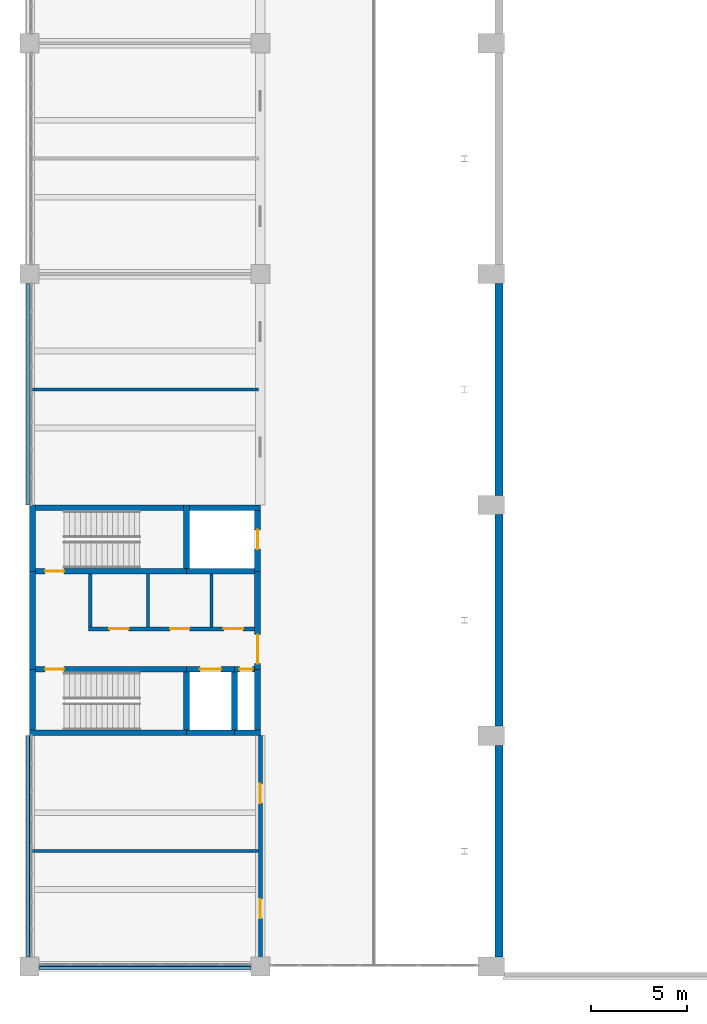
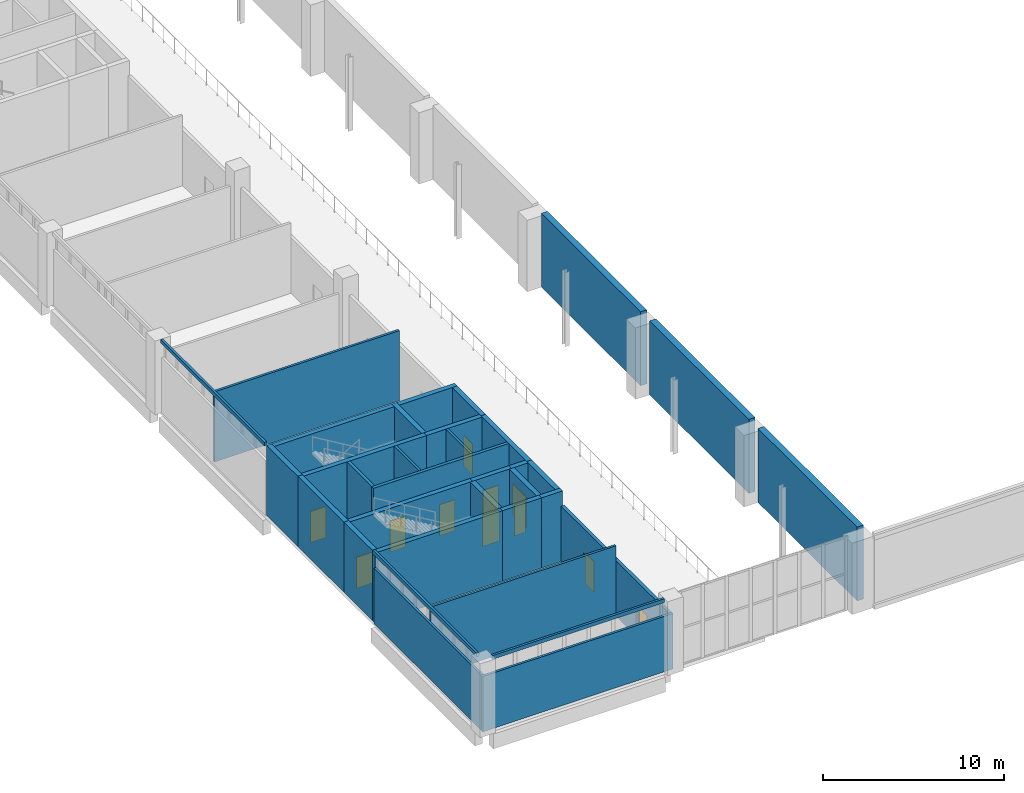
# One storey, part 51 of 69: 34 walls, 11 doors, 11 openings.
"""IFC4 building model written with IfcOpenShell, lengths in metres."""

from ifc_helpers import new_model, si_unit, direction, frame, frame_2d, origin, place, context, subcontext, project, spatial, rectangle, extrude, material, layer, layer_set, type_object, element, fill, save


model = new_model("IFC4")

# Units and contexts
model_context = context("Model", 3, precision=1e-05, world=origin(), true_north=direction((0.0, 1.0)))
body_context = subcontext(model_context, "Body", "Model", "MODEL_VIEW")
ifc_project = project(units=[si_unit("LENGTHUNIT", "METRE"), si_unit("AREAUNIT", "SQUARE_METRE"), si_unit("VOLUMEUNIT", "CUBIC_METRE"), si_unit("PLANEANGLEUNIT", "RADIAN"), si_unit("MASSUNIT", "GRAM", prefix="KILO")], contexts=[model_context])

# Site, building, storey
site_placement = place(None, origin())
site = spatial("IfcSite", under=ifc_project, at=site_placement, CompositionType="ELEMENT")
building_placement = place(site_placement, origin())
building = spatial("IfcBuilding", under=site, at=building_placement, Name="Lilac Gate Convention Centre", CompositionType="ELEMENT")
storey_placement = place(building_placement, frame((0.0, 0.0, 12.0)))
storey = spatial("IfcBuildingStorey", under=building, at=storey_placement, Name="L02", CompositionType="ELEMENT", Elevation=12.0)

# Walls
ifc_material_1 = material(Name="Concrete C30", Category="concrete")
ifc_layer_1 = layer(ifc_material_1, 0.39990234375)
ifc_layer_set_1 = layer_set([ifc_layer_1], Name="Concrete C30")
wall_type_1 = type_object("IfcWallType", Name="Hall fire wall 400", PredefinedType="SOLIDWALL", material=ifc_layer_set_1)
for number, where, z_axis, x_axis, name in (
    (1, (30.39990234375, 30.5, 0.0), (0.0, 0.0, 1.0), (0.0, 1.0, 0.0), "Fire wall galleria FW L02 1"),
    (2, (30.39990234375, 42.5, 0.0), (0.0, 0.0, 1.0), (0.0, 1.0, 0.0), "Fire wall galleria FW L02 2"),
    (3, (30.39990234375, 54.5, 0.0), (0.0, 0.0, 1.0), (0.0, 1.0, 0.0), "Fire wall galleria FW L02 3"),
):
    element("IfcWall", number, at=place(storey_placement, frame(where, z_axis=z_axis, x_axis=x_axis)), inside=storey, type_object=wall_type_1, Name=name, PredefinedType="SOLIDWALL", context=body_context, shape_type="SweptSolid", body=[
        extrude(rectangle(XDim=11.0, YDim=0.39990234375, at=frame_2d((5.5, 0.0))), origin(), (0.0, 0.0, 1.0), 5.0),
    ])
ifc_material_2 = material(Name="Fire-rated gypsum board on steel stud", Category="steel")
ifc_layer_2 = layer(ifc_material_2, 0.14990234375)
ifc_layer_set_2 = layer_set([ifc_layer_2], Name="Fire-rated gypsum board on steel stud")
wall_type_2 = type_object("IfcWallType", Name="Partition 150 fire-rated gypsum board EI 60", PredefinedType="PARTITIONING", material=ifc_layer_set_2)
wall_1_placement = place(storey_placement, frame((5.925048828125, 30.0, 0.0), z_axis=(0.0, 0.0, 1.0), x_axis=(1.0, 0.0, 0.0)))
element("IfcWall", 4, at=wall_1_placement, inside=storey, type_object=wall_type_2, Name="Partition 150 fire-rated gypsum board EI 60", PredefinedType="PARTITIONING", context=body_context, shape_type="SweptSolid", body=[
    extrude(rectangle(XDim=12.175048828125, YDim=0.14990234375, at=frame_2d((6.08740234375, 0.0))), origin(), (0.0, 0.0, 1.0), 3.75),
])
for number, where, z_axis, x_axis, name in (
    (5, (6.074951171875, 36.0, 0.0), (0.0, 0.0, 1.0), (1.0, 0.0, 0.0), "Partition 150 fire-rated gypsum board EI 60"),
    (6, (6.074951171875, 60.0, 0.0), (0.0, 0.0, 1.0), (1.0, 0.0, 0.0), "Partition 150 fire-rated gypsum board EI 60"),
):
    element("IfcWall", number, at=place(storey_placement, frame(where, z_axis=z_axis, x_axis=x_axis)), inside=storey, type_object=wall_type_2, Name=name, PredefinedType="PARTITIONING", context=body_context, shape_type="SweptSolid", body=[
        extrude(rectangle(XDim=11.824951171875, YDim=0.14990234375, at=frame_2d((5.91259765625, 0.0))), origin(), (0.0, 0.0, 1.0), 4.75),
    ])
wall_2_placement = place(storey_placement, frame((6.0, 30.074951171875, 0.0), z_axis=(0.0, 0.0, 1.0), x_axis=(0.0, 1.0, 0.0)))
element("IfcWall", 7, at=wall_2_placement, inside=storey, type_object=wall_type_2, Name="Partition 150 fire-rated gypsum board EI 60", PredefinedType="PARTITIONING", context=body_context, shape_type="SweptSolid", body=[
    extrude(rectangle(XDim=11.925048828125, YDim=0.14990234375, at=frame_2d((5.96240234375, 0.0))), origin(), (0.0, 0.0, 1.0), 3.75),
])
for number, where, z_axis, x_axis, name in (
    (8, (12.14990234375, 47.64990234375, 0.0), (0.0, 0.0, 1.0), (0.0, 1.0, 0.0), "Partition 150 fire-rated gypsum board EI 60"),
    (9, (15.449951171875, 47.64990234375, 0.0), (0.0, 0.0, 1.0), (0.0, 1.0, 0.0), "Partition 150 fire-rated gypsum board EI 60"),
):
    element("IfcWall", number, at=place(storey_placement, frame(where, z_axis=z_axis, x_axis=x_axis)), inside=storey, type_object=wall_type_2, Name=name, PredefinedType="PARTITIONING", context=body_context, shape_type="SweptSolid", body=[
        extrude(rectangle(XDim=2.75, YDim=0.14990234375, at=frame_2d((1.375, 0.0))), origin(), (0.0, 0.0, 1.0), 4.75),
    ])

# Wall, openings, doors
ifc_material_3 = material(Name="Clay brick masonry", Category="masonry")
ifc_layer_3 = layer(ifc_material_3, 0.199951171875)
ifc_layer_set_3 = layer_set([ifc_layer_3], Name="Clay brick masonry")
wall_type_3 = type_object("IfcWallType", Name="Partition 200 brick EI 60", PredefinedType="PARTITIONING", material=ifc_layer_set_3)
wall_3_placement = place(storey_placement, frame((9.050048828125, 47.550048828125, 0.0), z_axis=(0.0, 0.0, 1.0), x_axis=(1.0, 0.0, 0.0)))
wall_3 = element("IfcWall", 10, at=wall_3_placement, inside=storey, type_object=wall_type_3, Name="Partition 200 brick EI 60", PredefinedType="PARTITIONING", context=body_context, shape_type="SweptSolid", body=[
    extrude(rectangle(XDim=8.64990234375, YDim=0.199951171875, at=frame_2d((4.324951171875, 0.0))), origin(), (0.0, 0.0, 1.0), 4.75),
])
opening_1_placement = place(wall_3_placement, frame((1.10009765625, 0.0, 0.0)))
opening_1 = element("IfcOpeningElement", 11, at=opening_1_placement, cuts=wall_3, Name="Opening L02-006", PredefinedType="OPENING", context=body_context, shape_type="SweptSolid", body=[
    extrude(rectangle(XDim=1.0, YDim=2.10009765625, at=frame_2d((0.5, 1.050048828125))), frame((0.0, 0.10986328125, 0.0), z_axis=(0.0, -1.0, 0.0), x_axis=(1.0, 0.0, 0.0)), (0.0, 0.0, 1.0), 0.219970703125),
])
opening_2_placement = place(wall_3_placement, frame((4.25, 0.0, 0.0)))
opening_2 = element("IfcOpeningElement", 12, at=opening_2_placement, cuts=wall_3, Name="Opening L02-007", PredefinedType="OPENING", context=body_context, shape_type="SweptSolid", body=[
    extrude(rectangle(XDim=1.0, YDim=2.10009765625, at=frame_2d((0.5, 1.050048828125))), frame((0.0, 0.10986328125, 0.0), z_axis=(0.0, -1.0, 0.0), x_axis=(1.0, 0.0, 0.0)), (0.0, 0.0, 1.0), 0.219970703125),
])
opening_3_placement = place(wall_3_placement, frame((7.050048828125, 0.0, 0.0)))
opening_3 = element("IfcOpeningElement", 13, at=opening_3_placement, cuts=wall_3, Name="Opening L02-008", PredefinedType="OPENING", context=body_context, shape_type="SweptSolid", body=[
    extrude(rectangle(XDim=1.0, YDim=2.10009765625, at=frame_2d((0.5, 1.050048828125))), frame((0.0, 0.10986328125, 0.0), z_axis=(0.0, -1.0, 0.0), x_axis=(1.0, 0.0, 0.0)), (0.0, 0.0, 1.0), 0.219970703125),
])
ifc_material_4 = material(Name="Timber fire door leaf", Category="wood")
door_type_1 = type_object("IfcDoorType", Name="Door 1000 x 2100 single leaf FD30", OperationType="SINGLE_SWING_LEFT", PredefinedType="DOOR", material=ifc_material_4)
door_1_placement = place(opening_1_placement, origin())
door_1 = element("IfcDoor", 14, at=door_1_placement, inside=storey, type_object=door_type_1, Name="WC door L02-006", OperationType="SINGLE_SWING_RIGHT", OverallHeight=2.10009765625, OverallWidth=1.0, PredefinedType="DOOR", context=body_context, shape_type="SweptSolid", body=[
    extrude(rectangle(XDim=1.0, YDim=2.10009765625, at=frame_2d((0.5, 1.050048828125))), frame((0.0, 0.02490234375, 0.0), z_axis=(0.0, -1.0, 0.0), x_axis=(1.0, 0.0, 0.0)), (0.0, 0.0, 1.0), 0.050048828125),
])
fill(opening_1, door_1)
door_2_placement = place(opening_2_placement, origin())
door_2 = element("IfcDoor", 15, at=door_2_placement, inside=storey, type_object=door_type_1, Name="WC door L02-007", OperationType="SINGLE_SWING_LEFT", OverallHeight=2.10009765625, OverallWidth=1.0, PredefinedType="DOOR", context=body_context, shape_type="SweptSolid", body=[
    extrude(rectangle(XDim=1.0, YDim=2.10009765625, at=frame_2d((0.5, 1.050048828125))), frame((0.0, 0.02490234375, 0.0), z_axis=(0.0, -1.0, 0.0), x_axis=(1.0, 0.0, 0.0)), (0.0, 0.0, 1.0), 0.050048828125),
])
fill(opening_2, door_2)
door_3_placement = place(opening_3_placement, origin())
door_3 = element("IfcDoor", 16, at=door_3_placement, inside=storey, type_object=door_type_1, Name="Accessible WC door L02-008", OperationType="SINGLE_SWING_LEFT", OverallHeight=2.10009765625, OverallWidth=1.0, PredefinedType="DOOR", context=body_context, shape_type="SweptSolid", body=[
    extrude(rectangle(XDim=1.0, YDim=2.10009765625, at=frame_2d((0.5, 1.050048828125))), frame((0.0, 0.02490234375, 0.0), z_axis=(0.0, -1.0, 0.0), x_axis=(1.0, 0.0, 0.0)), (0.0, 0.0, 1.0), 0.050048828125),
])
fill(opening_3, door_3)

# Wall
wall_4_placement = place(storey_placement, frame((9.14990234375, 47.64990234375, 0.0), z_axis=(0.0, 0.0, 1.0), x_axis=(0.0, 1.0, 0.0)))
element("IfcWall", 17, at=wall_4_placement, inside=storey, type_object=wall_type_3, Name="Partition 200 brick EI 60", PredefinedType="PARTITIONING", context=body_context, shape_type="SweptSolid", body=[
    extrude(rectangle(XDim=2.75, YDim=0.199951171875, at=frame_2d((1.375, 0.0))), origin(), (0.0, 0.0, 1.0), 4.75),
])

# Wall, openings, doors
wall_5_placement = place(storey_placement, frame((18.0, 30.074951171875, 0.0), z_axis=(0.0, 0.0, 1.0), x_axis=(0.0, 1.0, 0.0)))
wall_5 = element("IfcWall", 18, at=wall_5_placement, inside=storey, type_object=wall_type_3, Name="Partition 200 brick EI 60", PredefinedType="PARTITIONING", context=body_context, shape_type="SweptSolid", body=[
    extrude(rectangle(XDim=11.925048828125, YDim=0.199951171875, at=frame_2d((5.96240234375, 0.0))), origin(), (0.0, 0.0, 1.0), 3.75),
])
opening_4_placement = place(wall_5_placement, frame((2.425048828125, 0.0, 0.0)))
opening_4 = element("IfcOpeningElement", 19, at=opening_4_placement, cuts=wall_5, Name="Opening L02-001", PredefinedType="OPENING", context=body_context, shape_type="SweptSolid", body=[
    extrude(rectangle(XDim=1.0, YDim=2.10009765625, at=frame_2d((0.5, 1.050048828125))), frame((0.0, 0.10986328125, 0.0), z_axis=(0.0, -1.0, 0.0), x_axis=(1.0, 0.0, 0.0)), (0.0, 0.0, 1.0), 0.219970703125),
])
opening_5_placement = place(wall_5_placement, frame((8.425048828125, 0.0, 0.0)))
opening_5 = element("IfcOpeningElement", 20, at=opening_5_placement, cuts=wall_5, Name="Opening L02-002", PredefinedType="OPENING", context=body_context, shape_type="SweptSolid", body=[
    extrude(rectangle(XDim=1.0, YDim=2.10009765625, at=frame_2d((0.5, 1.050048828125))), frame((0.0, 0.10986328125, 0.0), z_axis=(0.0, -1.0, 0.0), x_axis=(1.0, 0.0, 0.0)), (0.0, 0.0, 1.0), 0.219970703125),
])
door_4_placement = place(opening_4_placement, origin())
door_4 = element("IfcDoor", 21, at=door_4_placement, inside=storey, type_object=door_type_1, Name="Meeting room door L02-001", OperationType="SINGLE_SWING_RIGHT", OverallHeight=2.10009765625, OverallWidth=1.0, PredefinedType="DOOR", context=body_context, shape_type="SweptSolid", body=[
    extrude(rectangle(XDim=1.0, YDim=2.10009765625, at=frame_2d((0.5, 1.050048828125))), frame((0.0, 0.02490234375, 0.0), z_axis=(0.0, -1.0, 0.0), x_axis=(1.0, 0.0, 0.0)), (0.0, 0.0, 1.0), 0.050048828125),
])
fill(opening_4, door_4)
door_5_placement = place(opening_5_placement, origin())
door_5 = element("IfcDoor", 22, at=door_5_placement, inside=storey, type_object=door_type_1, Name="Meeting room door L02-002", OperationType="SINGLE_SWING_RIGHT", OverallHeight=2.10009765625, OverallWidth=1.0, PredefinedType="DOOR", context=body_context, shape_type="SweptSolid", body=[
    extrude(rectangle(XDim=1.0, YDim=2.10009765625, at=frame_2d((0.5, 1.050048828125))), frame((0.0, 0.02490234375, 0.0), z_axis=(0.0, -1.0, 0.0), x_axis=(1.0, 0.0, 0.0)), (0.0, 0.0, 1.0), 0.050048828125),
])
fill(opening_5, door_5)

# Walls
ifc_material_5 = material(Name="Concrete C40 precast", Category="concrete")
ifc_layer_4 = layer(ifc_material_5, 0.1298828125)
ifc_material_6 = material(Name="Terracotta glazed cladding", Category="masonry")
ifc_layer_5 = layer(ifc_material_6, 0.02001953125)
ifc_layer_set_4 = layer_set([ifc_layer_4, ifc_layer_5], Name="Concrete C40 precast, Terracotta glazed cladding")
wall_type_4 = type_object("IfcWallType", Name="Precast band terracotta 150", PredefinedType="STANDARD", material=ifc_layer_set_4)
for number, where, z_axis, x_axis, name in (
    (23, (5.925048828125, 65.5, 4.75), (0.0, 0.0, 1.0), (0.0, -1.0, 0.0), "Precast band PW L02 11"),
    (24, (5.925048828125, 42.0, 4.75), (0.0, 0.0, 1.0), (0.0, -1.0, 0.0), "Precast band PW L02 12"),
):
    element("IfcWall", number, at=place(storey_placement, frame(where, z_axis=z_axis, x_axis=x_axis)), inside=storey, type_object=wall_type_4, Name=name, PredefinedType="STANDARD", context=body_context, shape_type="SweptSolid", body=[
        extrude(rectangle(XDim=11.5, YDim=0.14990234375, at=frame_2d((5.75, 0.0))), origin(), (0.0, 0.0, 1.0), 0.25),
    ])
wall_6_placement = place(storey_placement, frame((6.5, 29.925048828125, 4.75), z_axis=(0.0, 0.0, 1.0), x_axis=(1.0, 0.0, 0.0)))
element("IfcWall", 25, at=wall_6_placement, inside=storey, type_object=wall_type_4, Name="Precast band PS L02 1", PredefinedType="STANDARD", context=body_context, shape_type="SweptSolid", body=[
    extrude(rectangle(XDim=11.0, YDim=0.14990234375, at=frame_2d((5.5, 0.0))), origin(), (0.0, 0.0, 1.0), 0.25),
])
ifc_material_7 = material(Name="Concrete C40", Category="concrete")
ifc_layer_6 = layer(ifc_material_7, 0.300048828125)
ifc_layer_set_5 = layer_set([ifc_layer_6], Name="Concrete C40")
wall_type_5 = type_object("IfcWallType", Name="Shear wall 300 C40", PredefinedType="SHEAR", material=ifc_layer_set_5)
wall_7_placement = place(storey_placement, frame((6.0, 42.14990234375, 0.0), z_axis=(0.0, 0.0, 1.0), x_axis=(1.0, 0.0, 0.0)))
element("IfcWall", 26, at=wall_7_placement, inside=storey, type_object=wall_type_5, Name="SW1 shear wall W1 L02 1", PredefinedType="SHEAR", context=body_context, shape_type="SweptSolid", body=[
    extrude(rectangle(XDim=8.14990234375, YDim=0.300048828125, at=frame_2d((4.074951171875, 0.0))), origin(), (0.0, 0.0, 1.0), 4.75),
])
wall_8_placement = place(storey_placement, frame((14.14990234375, 42.14990234375, 0.0), z_axis=(0.0, 0.0, 1.0), x_axis=(1.0, 0.0, 0.0)))
element("IfcWall", 27, at=wall_8_placement, inside=storey, type_object=wall_type_5, Name="SW1 shear wall W1 L02 2", PredefinedType="SHEAR", context=body_context, shape_type="SweptSolid", body=[
    extrude(rectangle(XDim=2.5, YDim=0.300048828125, at=frame_2d((1.25, 0.0))), origin(), (0.0, 0.0, 1.0), 4.75),
])
wall_9_placement = place(storey_placement, frame((16.64990234375, 42.14990234375, 0.0), z_axis=(0.0, 0.0, 1.0), x_axis=(1.0, 0.0, 0.0)))
element("IfcWall", 28, at=wall_9_placement, inside=storey, type_object=wall_type_5, Name="SW1 shear wall W1 L02 3", PredefinedType="SHEAR", context=body_context, shape_type="SweptSolid", body=[
    extrude(rectangle(XDim=1.35009765625, YDim=0.300048828125, at=frame_2d((0.675048828125, 0.0))), origin(), (0.0, 0.0, 1.0), 4.75),
])
wall_10_placement = place(storey_placement, frame((6.0, 53.85009765625, 0.0), z_axis=(0.0, 0.0, 1.0), x_axis=(1.0, 0.0, 0.0)))
element("IfcWall", 29, at=wall_10_placement, inside=storey, type_object=wall_type_5, Name="SW1 shear wall W1 L02 4", PredefinedType="SHEAR", context=body_context, shape_type="SweptSolid", body=[
    extrude(rectangle(XDim=8.14990234375, YDim=0.300048828125, at=frame_2d((4.074951171875, 0.0))), origin(), (0.0, 0.0, 1.0), 4.75),
])
wall_11_placement = place(storey_placement, frame((14.14990234375, 53.85009765625, 0.0), z_axis=(0.0, 0.0, 1.0), x_axis=(1.0, 0.0, 0.0)))
element("IfcWall", 30, at=wall_11_placement, inside=storey, type_object=wall_type_5, Name="SW1 shear wall W1 L02 5", PredefinedType="SHEAR", context=body_context, shape_type="SweptSolid", body=[
    extrude(rectangle(XDim=3.85009765625, YDim=0.300048828125, at=frame_2d((1.925048828125, 0.0))), origin(), (0.0, 0.0, 1.0), 4.75),
])

# Wall, opening, door
wall_12_placement = place(storey_placement, frame((6.300048828125, 45.449951171875, 0.0), z_axis=(0.0, 0.0, 1.0), x_axis=(1.0, 0.0, 0.0)))
wall_12 = element("IfcWall", 31, at=wall_12_placement, inside=storey, type_object=wall_type_5, Name="SW1 shear wall W1 L02 6", PredefinedType="SHEAR", context=body_context, shape_type="SweptSolid", body=[
    extrude(rectangle(XDim=7.849853515625, YDim=0.300048828125, at=frame_2d((3.9248046875, 0.0))), origin(), (0.0, 0.0, 1.0), 4.75),
])
opening_6_placement = place(wall_12_placement, frame((0.5, 0.0, 0.0)))
opening_6 = element("IfcOpeningElement", 32, at=opening_6_placement, cuts=wall_12, Name="Opening L02-003", PredefinedType="OPENING", context=body_context, shape_type="SweptSolid", body=[
    extrude(rectangle(XDim=1.0, YDim=2.10009765625, at=frame_2d((0.5, 1.050048828125))), frame((0.0, 0.159912109375, 0.0), z_axis=(0.0, -1.0, 0.0), x_axis=(1.0, 0.0, 0.0)), (0.0, 0.0, 1.0), 0.320068359375),
])
door_type_2 = type_object("IfcDoorType", Name="Door 1000 x 2100 single leaf FD60", OperationType="SINGLE_SWING_LEFT", PredefinedType="DOOR", material=ifc_material_4)
door_6_placement = place(opening_6_placement, frame((1.0, 0.0, 0.0), z_axis=(0.0, 0.0, 1.0), x_axis=(-1.0, 0.0, 0.0)))
door_6 = element("IfcDoor", 33, at=door_6_placement, inside=storey, type_object=door_type_2, Name="Stair door L02-003", OperationType="SINGLE_SWING_LEFT", OverallHeight=2.10009765625, OverallWidth=1.0, PredefinedType="DOOR", context=body_context, shape_type="SweptSolid", body=[
    extrude(rectangle(XDim=1.0, YDim=2.10009765625, at=frame_2d((0.5, 1.050048828125))), frame((0.0, 0.02490234375, 0.0), z_axis=(0.0, -1.0, 0.0), x_axis=(1.0, 0.0, 0.0)), (0.0, 0.0, 1.0), 0.050048828125),
])
fill(opening_6, door_6)

wall_13_placement = place(storey_placement, frame((14.14990234375, 45.449951171875, 0.0), z_axis=(0.0, 0.0, 1.0), x_axis=(1.0, 0.0, 0.0)))
wall_13 = element("IfcWall", 34, at=wall_13_placement, inside=storey, type_object=wall_type_5, Name="SW1 shear wall W1 L02 7", PredefinedType="SHEAR", context=body_context, shape_type="SweptSolid", body=[
    extrude(rectangle(XDim=2.5, YDim=0.300048828125, at=frame_2d((1.25, 0.0))), origin(), (0.0, 0.0, 1.0), 4.75),
])
opening_7_placement = place(wall_13_placement, frame((0.699951171875, 0.0, 0.0)))
opening_7 = element("IfcOpeningElement", 35, at=opening_7_placement, cuts=wall_13, Name="Opening LDW1-02", PredefinedType="OPENING", context=body_context, shape_type="SweptSolid", body=[
    extrude(rectangle(XDim=1.10009765625, YDim=2.10009765625, at=frame_2d((0.550048828125, 1.050048828125))), frame((0.0, 0.159912109375, 0.0), z_axis=(0.0, -1.0, 0.0), x_axis=(1.0, 0.0, 0.0)), (0.0, 0.0, 1.0), 0.320068359375),
])
ifc_material_8 = material(Name="Stainless steel 304", Category="steel")
door_type_3 = type_object("IfcDoorType", Name="Lift landing door 1100 x 2100", OperationType="SLIDING_TO_LEFT", PredefinedType="DOOR", material=ifc_material_8)
door_7_placement = place(opening_7_placement, origin())
door_7 = element("IfcDoor", 36, at=door_7_placement, inside=storey, type_object=door_type_3, Name="Lift landing door LDW1-02", OperationType="SLIDING_TO_LEFT", OverallHeight=2.10009765625, OverallWidth=1.10009765625, PredefinedType="DOOR", context=body_context, shape_type="SweptSolid", body=[
    extrude(rectangle(XDim=1.10009765625, YDim=2.10009765625, at=frame_2d((0.550048828125, 1.050048828125))), frame((0.0, 0.02490234375, 0.0), z_axis=(0.0, -1.0, 0.0), x_axis=(1.0, 0.0, 0.0)), (0.0, 0.0, 1.0), 0.050048828125),
])
fill(opening_7, door_7)

wall_14_placement = place(storey_placement, frame((16.64990234375, 45.449951171875, 0.0), z_axis=(0.0, 0.0, 1.0), x_axis=(1.0, 0.0, 0.0)))
wall_14 = element("IfcWall", 37, at=wall_14_placement, inside=storey, type_object=wall_type_5, Name="SW1 shear wall W1 L02 8", PredefinedType="SHEAR", context=body_context, shape_type="SweptSolid", body=[
    extrude(rectangle(XDim=1.050048828125, YDim=0.300048828125, at=frame_2d((0.52490234375, 0.0))), origin(), (0.0, 0.0, 1.0), 4.75),
])
opening_8_placement = place(wall_14_placement, frame((0.25, 0.0, 0.0)))
opening_8 = element("IfcOpeningElement", 38, at=opening_8_placement, cuts=wall_14, Name="Opening L02-004", PredefinedType="OPENING", context=body_context, shape_type="SweptSolid", body=[
    extrude(rectangle(XDim=0.699951171875, YDim=2.10009765625, at=frame_2d((0.35009765625, 1.050048828125))), frame((0.0, 0.159912109375, 0.0), z_axis=(0.0, -1.0, 0.0), x_axis=(1.0, 0.0, 0.0)), (0.0, 0.0, 1.0), 0.320068359375),
])
door_type_4 = type_object("IfcDoorType", Name="Door 700 x 2100 single leaf FD30", OperationType="SINGLE_SWING_LEFT", PredefinedType="DOOR", material=ifc_material_4)
door_8_placement = place(opening_8_placement, frame((0.699951171875, 0.0, 0.0), z_axis=(0.0, 0.0, 1.0), x_axis=(-1.0, 0.0, 0.0)))
door_8 = element("IfcDoor", 39, at=door_8_placement, inside=storey, type_object=door_type_4, Name="Riser access door L02-004", OperationType="SINGLE_SWING_LEFT", OverallHeight=2.10009765625, OverallWidth=0.699951171875, PredefinedType="DOOR", context=body_context, shape_type="SweptSolid", body=[
    extrude(rectangle(XDim=0.699951171875, YDim=2.10009765625, at=frame_2d((0.35009765625, 1.050048828125))), frame((0.0, 0.02490234375, 0.0), z_axis=(0.0, -1.0, 0.0), x_axis=(1.0, 0.0, 0.0)), (0.0, 0.0, 1.0), 0.050048828125),
])
fill(opening_8, door_8)

wall_15_placement = place(storey_placement, frame((6.300048828125, 50.550048828125, 0.0), z_axis=(0.0, 0.0, 1.0), x_axis=(1.0, 0.0, 0.0)))
wall_15 = element("IfcWall", 40, at=wall_15_placement, inside=storey, type_object=wall_type_5, Name="SW1 shear wall W1 L02 9", PredefinedType="SHEAR", context=body_context, shape_type="SweptSolid", body=[
    extrude(rectangle(XDim=7.849853515625, YDim=0.300048828125, at=frame_2d((3.9248046875, 0.0))), origin(), (0.0, 0.0, 1.0), 4.75),
])
opening_9_placement = place(wall_15_placement, frame((0.5, 0.0, 0.0)))
opening_9 = element("IfcOpeningElement", 41, at=opening_9_placement, cuts=wall_15, Name="Opening L02-009", PredefinedType="OPENING", context=body_context, shape_type="SweptSolid", body=[
    extrude(rectangle(XDim=1.0, YDim=2.10009765625, at=frame_2d((0.5, 1.050048828125))), frame((0.0, 0.159912109375, 0.0), z_axis=(0.0, -1.0, 0.0), x_axis=(1.0, 0.0, 0.0)), (0.0, 0.0, 1.0), 0.320068359375),
])
door_9_placement = place(opening_9_placement, origin())
door_9 = element("IfcDoor", 42, at=door_9_placement, inside=storey, type_object=door_type_2, Name="Stair door L02-009", OperationType="SINGLE_SWING_RIGHT", OverallHeight=2.10009765625, OverallWidth=1.0, PredefinedType="DOOR", context=body_context, shape_type="SweptSolid", body=[
    extrude(rectangle(XDim=1.0, YDim=2.10009765625, at=frame_2d((0.5, 1.050048828125))), frame((0.0, 0.02490234375, 0.0), z_axis=(0.0, -1.0, 0.0), x_axis=(1.0, 0.0, 0.0)), (0.0, 0.0, 1.0), 0.050048828125),
])
fill(opening_9, door_9)

# Walls
wall_16_placement = place(storey_placement, frame((14.14990234375, 50.550048828125, 0.0), z_axis=(0.0, 0.0, 1.0), x_axis=(1.0, 0.0, 0.0)))
element("IfcWall", 43, at=wall_16_placement, inside=storey, type_object=wall_type_5, Name="SW1 shear wall W1 L02 10", PredefinedType="SHEAR", context=body_context, shape_type="SweptSolid", body=[
    extrude(rectangle(XDim=3.550048828125, YDim=0.300048828125, at=frame_2d((1.77490234375, 0.0))), origin(), (0.0, 0.0, 1.0), 4.75),
])
wall_17_placement = place(storey_placement, frame((6.14990234375, 42.300048828125, 0.0), z_axis=(0.0, 0.0, 1.0), x_axis=(0.0, 1.0, 0.0)))
element("IfcWall", 44, at=wall_17_placement, inside=storey, type_object=wall_type_5, Name="SW1 shear wall W1 L02 11", PredefinedType="SHEAR", context=body_context, shape_type="SweptSolid", body=[
    extrude(rectangle(XDim=3.14990234375, YDim=0.300048828125, at=frame_2d((1.574951171875, 0.0))), origin(), (0.0, 0.0, 1.0), 4.75),
])
wall_18_placement = place(storey_placement, frame((6.14990234375, 45.449951171875, 0.0), z_axis=(0.0, 0.0, 1.0), x_axis=(0.0, 1.0, 0.0)))
element("IfcWall", 45, at=wall_18_placement, inside=storey, type_object=wall_type_5, Name="SW1 shear wall W1 L02 12", PredefinedType="SHEAR", context=body_context, shape_type="SweptSolid", body=[
    extrude(rectangle(XDim=5.10009765625, YDim=0.300048828125, at=frame_2d((2.550048828125, 0.0))), origin(), (0.0, 0.0, 1.0), 4.75),
])
wall_19_placement = place(storey_placement, frame((6.14990234375, 50.550048828125, 0.0), z_axis=(0.0, 0.0, 1.0), x_axis=(0.0, 1.0, 0.0)))
element("IfcWall", 46, at=wall_19_placement, inside=storey, type_object=wall_type_5, Name="SW1 shear wall W1 L02 13", PredefinedType="SHEAR", context=body_context, shape_type="SweptSolid", body=[
    extrude(rectangle(XDim=3.449951171875, YDim=0.300048828125, at=frame_2d((1.72509765625, 0.0))), origin(), (0.0, 0.0, 1.0), 4.75),
])
wall_20_placement = place(storey_placement, frame((17.85009765625, 42.300048828125, 0.0), z_axis=(0.0, 0.0, 1.0), x_axis=(0.0, 1.0, 0.0)))
element("IfcWall", 47, at=wall_20_placement, inside=storey, type_object=wall_type_5, Name="SW1 shear wall W1 L02 14", PredefinedType="SHEAR", context=body_context, shape_type="SweptSolid", body=[
    extrude(rectangle(XDim=3.14990234375, YDim=0.300048828125, at=frame_2d((1.574951171875, 0.0))), origin(), (0.0, 0.0, 1.0), 4.75),
])

# Wall, opening, door
wall_21_placement = place(storey_placement, frame((17.85009765625, 45.449951171875, 0.0), z_axis=(0.0, 0.0, 1.0), x_axis=(0.0, 1.0, 0.0)))
wall_21 = element("IfcWall", 48, at=wall_21_placement, inside=storey, type_object=wall_type_5, Name="SW1 shear wall W1 L02 15", PredefinedType="SHEAR", context=body_context, shape_type="SweptSolid", body=[
    extrude(rectangle(XDim=5.10009765625, YDim=0.300048828125, at=frame_2d((2.550048828125, 0.0))), origin(), (0.0, 0.0, 1.0), 4.75),
])
opening_10_placement = place(wall_21_placement, frame((0.300048828125, 0.0, 0.0)))
opening_10 = element("IfcOpeningElement", 49, at=opening_10_placement, cuts=wall_21, Name="Opening L02-005", PredefinedType="OPENING", context=body_context, shape_type="SweptSolid", body=[
    extrude(rectangle(XDim=1.5, YDim=2.10009765625, at=frame_2d((0.75, 1.050048828125))), frame((0.0, 0.159912109375, 0.0), z_axis=(0.0, -1.0, 0.0), x_axis=(1.0, 0.0, 0.0)), (0.0, 0.0, 1.0), 0.320068359375),
])
door_type_5 = type_object("IfcDoorType", Name="Door 1500 x 2100 double leaf FD30", OperationType="DOUBLE_DOOR_SINGLE_SWING", PredefinedType="DOOR", material=ifc_material_4)
door_10_placement = place(opening_10_placement, origin())
door_10 = element("IfcDoor", 50, at=door_10_placement, inside=storey, type_object=door_type_5, Name="Lobby door L02-005", OperationType="DOUBLE_DOOR_SINGLE_SWING", OverallHeight=2.10009765625, OverallWidth=1.5, PredefinedType="DOOR", context=body_context, shape_type="SweptSolid", body=[
    extrude(rectangle(XDim=1.5, YDim=2.10009765625, at=frame_2d((0.75, 1.050048828125))), frame((0.0, 0.02490234375, 0.0), z_axis=(0.0, -1.0, 0.0), x_axis=(1.0, 0.0, 0.0)), (0.0, 0.0, 1.0), 0.050048828125),
])
fill(opening_10, door_10)

wall_22_placement = place(storey_placement, frame((17.85009765625, 50.550048828125, 0.0), z_axis=(0.0, 0.0, 1.0), x_axis=(0.0, 1.0, 0.0)))
wall_22 = element("IfcWall", 51, at=wall_22_placement, inside=storey, type_object=wall_type_5, Name="SW1 shear wall W1 L02 16", PredefinedType="SHEAR", context=body_context, shape_type="SweptSolid", body=[
    extrude(rectangle(XDim=3.14990234375, YDim=0.300048828125, at=frame_2d((1.574951171875, 0.0))), origin(), (0.0, 0.0, 1.0), 4.75),
])
opening_11_placement = place(wall_22_placement, frame((1.14990234375, 0.0, 0.0)))
opening_11 = element("IfcOpeningElement", 52, at=opening_11_placement, cuts=wall_22, Name="Opening L02-010", PredefinedType="OPENING", context=body_context, shape_type="SweptSolid", body=[
    extrude(rectangle(XDim=1.0, YDim=2.10009765625, at=frame_2d((0.5, 1.050048828125))), frame((0.0, 0.159912109375, 0.0), z_axis=(0.0, -1.0, 0.0), x_axis=(1.0, 0.0, 0.0)), (0.0, 0.0, 1.0), 0.320068359375),
])
door_11_placement = place(opening_11_placement, origin())
door_11 = element("IfcDoor", 53, at=door_11_placement, inside=storey, type_object=door_type_1, Name="Riser access door L02-010", OperationType="SINGLE_SWING_RIGHT", OverallHeight=2.10009765625, OverallWidth=1.0, PredefinedType="DOOR", context=body_context, shape_type="SweptSolid", body=[
    extrude(rectangle(XDim=1.0, YDim=2.10009765625, at=frame_2d((0.5, 1.050048828125))), frame((0.0, 0.02490234375, 0.0), z_axis=(0.0, -1.0, 0.0), x_axis=(1.0, 0.0, 0.0)), (0.0, 0.0, 1.0), 0.050048828125),
])
fill(opening_11, door_11)

# Walls
wall_23_placement = place(storey_placement, frame((14.14990234375, 42.300048828125, 0.0), z_axis=(0.0, 0.0, 1.0), x_axis=(0.0, 1.0, 0.0)))
element("IfcWall", 54, at=wall_23_placement, inside=storey, type_object=wall_type_5, Name="SW1 shear wall W1 L02 17", PredefinedType="SHEAR", context=body_context, shape_type="SweptSolid", body=[
    extrude(rectangle(XDim=3.0, YDim=0.300048828125, at=frame_2d((1.5, 0.0))), origin(), (0.0, 0.0, 1.0), 4.75),
])
wall_24_placement = place(storey_placement, frame((14.14990234375, 50.699951171875, 0.0), z_axis=(0.0, 0.0, 1.0), x_axis=(0.0, 1.0, 0.0)))
element("IfcWall", 55, at=wall_24_placement, inside=storey, type_object=wall_type_5, Name="SW1 shear wall W1 L02 18", PredefinedType="SHEAR", context=body_context, shape_type="SweptSolid", body=[
    extrude(rectangle(XDim=3.300048828125, YDim=0.300048828125, at=frame_2d((1.64990234375, 0.0))), origin(), (0.0, 0.0, 1.0), 4.75),
])
wall_25_placement = place(storey_placement, frame((16.64990234375, 42.300048828125, 0.0), z_axis=(0.0, 0.0, 1.0), x_axis=(0.0, 1.0, 0.0)))
element("IfcWall", 56, at=wall_25_placement, inside=storey, type_object=wall_type_5, Name="SW1 shear wall W1 L02 19", PredefinedType="SHEAR", context=body_context, shape_type="SweptSolid", body=[
    extrude(rectangle(XDim=3.0, YDim=0.300048828125, at=frame_2d((1.5, 0.0))), origin(), (0.0, 0.0, 1.0), 4.75),
])

save(model, "model.ifc")
